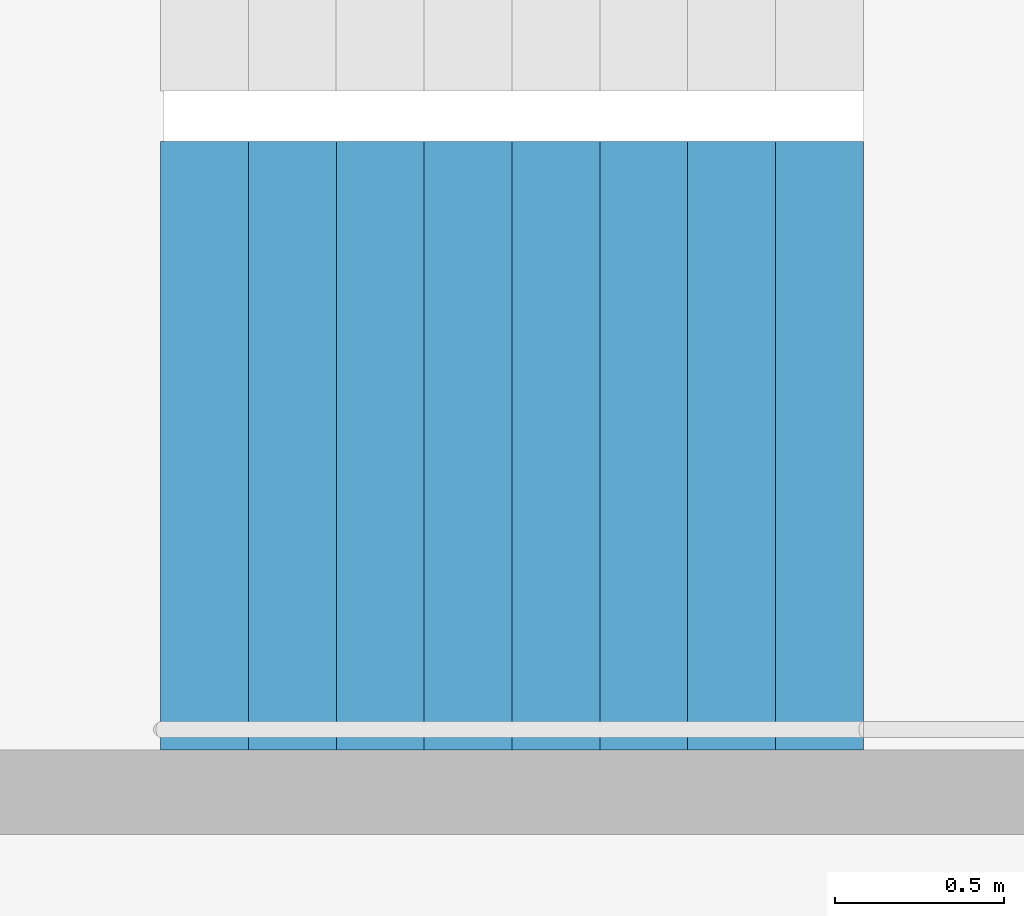
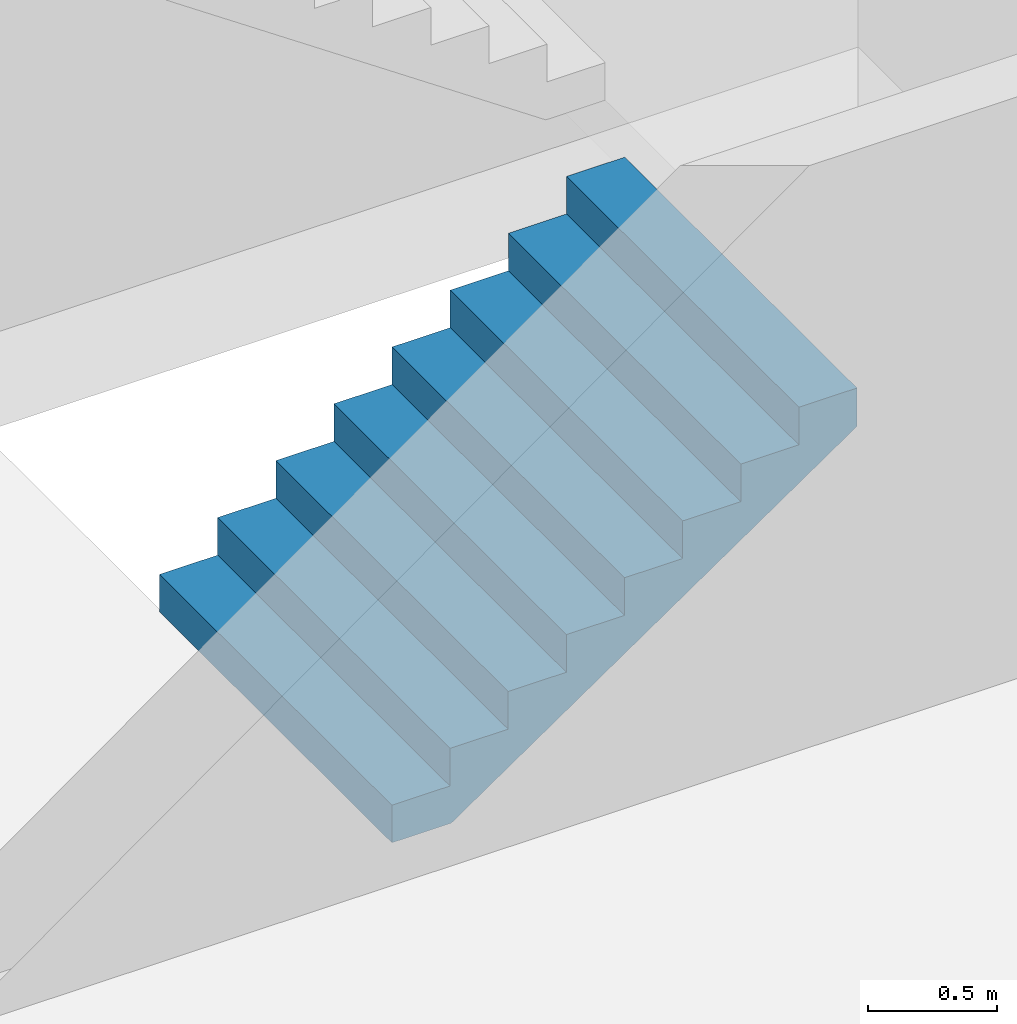
# One storey, part 21 of 27: 1 stair flight, 1 element without a shape of its own.
"""IFC4 building model written with IfcOpenShell, lengths in metres."""

from ifc_helpers import new_model, si_unit, direction, frame, origin, place, context, subcontext, project, spatial, triangles, material, type_object, element, aggregate, save


model = new_model("IFC4")

# Units and contexts
model_context = context("Model", 3, precision=1e-05, world=origin(), true_north=direction((0.0, 1.0)))
body_context = subcontext(model_context, "Body", "Model", "MODEL_VIEW")
ifc_project = project(units=[si_unit("LENGTHUNIT", "METRE"), si_unit("AREAUNIT", "SQUARE_METRE"), si_unit("VOLUMEUNIT", "CUBIC_METRE"), si_unit("PLANEANGLEUNIT", "RADIAN"), si_unit("MASSUNIT", "GRAM", prefix="KILO")], contexts=[model_context])

# Site, building, storey
site_placement = place(None, origin())
site = spatial("IfcSite", under=ifc_project, at=site_placement, CompositionType="ELEMENT")
building_placement = place(site_placement, origin())
building = spatial("IfcBuilding", under=site, at=building_placement, Name="Hakoniwa Tower and Hamabe Station Hall", CompositionType="ELEMENT")
storey_placement = place(building_placement, frame((0.0, 0.0, 261.39990234375)))
storey = spatial("IfcBuildingStorey", under=building, at=storey_placement, Name="L74", CompositionType="ELEMENT", Elevation=261.39990234375)

# Stair, stair flight
ifc_material_1 = material(Name="Concrete C40", Category="concrete")
stair_type = type_object("IfcStairType", Name="ESCAPE STAIR 1800", PredefinedType="HALF_TURN_STAIR", material=ifc_material_1)
stair_placement = place(storey_placement, origin())
stair = element("IfcStair", 1, at=stair_placement, inside=storey, type_object=stair_type, Name="Escape stair ST-1 L74", PredefinedType="HALF_TURN_STAIR")
ifc_material_2 = material(Name="Concrete C40", Category="concrete")
stair_flight_type = type_object("IfcStairFlightType", Name="STAIR FLIGHT 1800", PredefinedType="STRAIGHT", material=ifc_material_2)
stair_flight_placement = place(storey_placement, frame((-24.39990234375, 4.64990234375, 0.0), z_axis=(0.0, 0.0, 1.0), x_axis=(1.0, 0.0, 0.0)))
stair_flight = element("IfcStairFlight", 2, at=stair_flight_placement, type_object=stair_flight_type, Name="ST-1 flight 1", NumberOfRisers=9, NumberOfTreads=8, PredefinedType="STRAIGHT", RiserHeight=0.177777778, TreadLength=0.26, context=body_context, shape_type="Tessellation", body=[
    triangles([(0.0, 0.89990234375, 0.0), (0.260009765625, 0.89990234375, 0.0), (0.265625, 0.89990234375, 0.0), (0.52001953125, 0.89990234375, 0.174072265625), (0.780029296875, 0.89990234375, 0.351806640625), (1.0400390625, 0.89990234375, 0.529541015625), (1.300048828125, 0.89990234375, 0.707275390625), (1.56005859375, 0.89990234375, 0.885009765625), (1.820068359375, 0.89990234375, 1.062744140625), (2.080078125, 0.89990234375, 1.24072265625), (2.080078125, 0.89990234375, 1.422119140625), (1.820068359375, 0.89990234375, 1.422119140625), (1.820068359375, 0.89990234375, 1.244384765625), (1.56005859375, 0.89990234375, 1.244384765625), (1.56005859375, 0.89990234375, 1.066650390625), (1.300048828125, 0.89990234375, 1.066650390625), (1.300048828125, 0.89990234375, 0.888916015625), (1.0400390625, 0.89990234375, 0.888916015625), (1.0400390625, 0.89990234375, 0.711181640625), (0.780029296875, 0.89990234375, 0.711181640625), (0.780029296875, 0.89990234375, 0.533447265625), (0.52001953125, 0.89990234375, 0.533447265625), (0.52001953125, 0.89990234375, 0.35546875), (0.265625, 0.89990234375, 0.35546875), (0.260009765625, 0.89990234375, 0.35546875), (0.260009765625, 0.89990234375, 0.177734375), (0.0, 0.89990234375, 0.177734375), (0.0, 0.06005859375, 0.0), (0.260009765625, 0.06005859375, 0.0), (0.265625, 0.06005859375, 0.0), (0.52001953125, 0.06005859375, 0.174072265625), (0.780029296875, 0.06005859375, 0.351806640625), (1.0400390625, 0.06005859375, 0.529541015625), (1.300048828125, 0.06005859375, 0.707275390625), (1.56005859375, 0.06005859375, 0.885009765625), (1.820068359375, 0.06005859375, 1.062744140625), (2.080078125, 0.06005859375, 1.24072265625), (2.080078125, 0.06005859375, 1.422119140625), (1.820068359375, 0.06005859375, 1.422119140625), (1.820068359375, 0.06005859375, 1.244384765625), (1.56005859375, 0.06005859375, 1.244384765625), (1.56005859375, 0.06005859375, 1.066650390625), (1.300048828125, 0.06005859375, 1.066650390625), (1.300048828125, 0.06005859375, 0.888916015625), (1.0400390625, 0.06005859375, 0.888916015625), (1.0400390625, 0.06005859375, 0.711181640625), (0.780029296875, 0.06005859375, 0.711181640625), (0.780029296875, 0.06005859375, 0.533447265625), (0.52001953125, 0.06005859375, 0.533447265625), (0.52001953125, 0.06005859375, 0.35546875), (0.265625, 0.06005859375, 0.35546875), (0.260009765625, 0.06005859375, 0.35546875), (0.260009765625, 0.06005859375, 0.177734375), (0.0, 0.06005859375, 0.177734375), (0.0, 0.04296875, 0.0), (0.260009765625, 0.04296875, 0.0), (0.265625, 0.04296875, 0.0), (0.52001953125, 0.04296875, 0.174072265625), (0.780029296875, 0.04296875, 0.351806640625), (1.0400390625, 0.04296875, 0.529541015625), (1.300048828125, 0.04296875, 0.707275390625), (1.56005859375, 0.04296875, 0.885009765625), (1.820068359375, 0.04296875, 1.062744140625), (2.080078125, 0.04296875, 1.24072265625), (2.080078125, 0.04296875, 1.422119140625), (1.820068359375, 0.04296875, 1.422119140625), (1.820068359375, 0.04296875, 1.244384765625), (1.56005859375, 0.04296875, 1.244384765625), (1.56005859375, 0.04296875, 1.066650390625), (1.300048828125, 0.04296875, 1.066650390625), (1.300048828125, 0.04296875, 0.888916015625), (1.0400390625, 0.04296875, 0.888916015625), (1.0400390625, 0.04296875, 0.711181640625), (0.780029296875, 0.04296875, 0.711181640625), (0.780029296875, 0.04296875, 0.533447265625), (0.52001953125, 0.04296875, 0.533447265625), (0.52001953125, 0.04296875, 0.35546875), (0.265625, 0.04296875, 0.35546875), (0.260009765625, 0.04296875, 0.35546875), (0.260009765625, 0.04296875, 0.177734375), (0.0, 0.04296875, 0.177734375), (0.0, 0.025634765625, 0.0), (0.260009765625, 0.025634765625, 0.0), (0.265625, 0.025634765625, 0.0), (0.52001953125, 0.025634765625, 0.174072265625), (0.780029296875, 0.025634765625, 0.351806640625), (1.0400390625, 0.025634765625, 0.529541015625), (1.300048828125, 0.025634765625, 0.707275390625), (1.56005859375, 0.025634765625, 0.885009765625), (1.820068359375, 0.025634765625, 1.062744140625), (2.080078125, 0.025634765625, 1.24072265625), (2.080078125, 0.025634765625, 1.422119140625), (1.820068359375, 0.025634765625, 1.422119140625), (1.820068359375, 0.025634765625, 1.244384765625), (1.56005859375, 0.025634765625, 1.244384765625), (1.56005859375, 0.025634765625, 1.066650390625), (1.300048828125, 0.025634765625, 1.066650390625), (1.300048828125, 0.025634765625, 0.888916015625), (1.0400390625, 0.025634765625, 0.888916015625), (1.0400390625, 0.025634765625, 0.711181640625), (0.780029296875, 0.025634765625, 0.711181640625), (0.780029296875, 0.025634765625, 0.533447265625), (0.52001953125, 0.025634765625, 0.533447265625), (0.52001953125, 0.025634765625, 0.35546875), (0.265625, 0.025634765625, 0.35546875), (0.260009765625, 0.025634765625, 0.35546875), (0.260009765625, 0.025634765625, 0.177734375), (0.0, 0.025634765625, 0.177734375), (0.0, 0.008544921875, 0.0), (0.260009765625, 0.008544921875, 0.0), (0.265625, 0.008544921875, 0.0), (0.52001953125, 0.008544921875, 0.174072265625), (0.780029296875, 0.008544921875, 0.351806640625), (1.0400390625, 0.008544921875, 0.529541015625), (1.300048828125, 0.008544921875, 0.707275390625), (1.56005859375, 0.008544921875, 0.885009765625), (1.820068359375, 0.008544921875, 1.062744140625), (2.080078125, 0.008544921875, 1.24072265625), (2.080078125, 0.008544921875, 1.422119140625), (1.820068359375, 0.008544921875, 1.422119140625), (1.820068359375, 0.008544921875, 1.244384765625), (1.56005859375, 0.008544921875, 1.244384765625), (1.56005859375, 0.008544921875, 1.066650390625), (1.300048828125, 0.008544921875, 1.066650390625), (1.300048828125, 0.008544921875, 0.888916015625), (1.0400390625, 0.008544921875, 0.888916015625), (1.0400390625, 0.008544921875, 0.711181640625), (0.780029296875, 0.008544921875, 0.711181640625), (0.780029296875, 0.008544921875, 0.533447265625), (0.52001953125, 0.008544921875, 0.533447265625), (0.52001953125, 0.008544921875, 0.35546875), (0.265625, 0.008544921875, 0.35546875), (0.260009765625, 0.008544921875, 0.35546875), (0.260009765625, 0.008544921875, 0.177734375), (0.0, 0.008544921875, 0.177734375), (0.0, -0.008544921875, 0.0), (0.260009765625, -0.008544921875, 0.0), (0.265625, -0.008544921875, 0.0), (0.52001953125, -0.008544921875, 0.174072265625), (0.780029296875, -0.008544921875, 0.351806640625), (1.0400390625, -0.008544921875, 0.529541015625), (1.300048828125, -0.008544921875, 0.707275390625), (1.56005859375, -0.008544921875, 0.885009765625), (1.820068359375, -0.008544921875, 1.062744140625), (2.080078125, -0.008544921875, 1.24072265625), (2.080078125, -0.008544921875, 1.422119140625), (1.820068359375, -0.008544921875, 1.422119140625), (1.820068359375, -0.008544921875, 1.244384765625), (1.56005859375, -0.008544921875, 1.244384765625), (1.56005859375, -0.008544921875, 1.066650390625), (1.300048828125, -0.008544921875, 1.066650390625), (1.300048828125, -0.008544921875, 0.888916015625), (1.0400390625, -0.008544921875, 0.888916015625), (1.0400390625, -0.008544921875, 0.711181640625), (0.780029296875, -0.008544921875, 0.711181640625), (0.780029296875, -0.008544921875, 0.533447265625), (0.52001953125, -0.008544921875, 0.533447265625), (0.52001953125, -0.008544921875, 0.35546875), (0.265625, -0.008544921875, 0.35546875), (0.260009765625, -0.008544921875, 0.35546875), (0.260009765625, -0.008544921875, 0.177734375), (0.0, -0.008544921875, 0.177734375), (0.0, -0.025634765625, 0.0), (0.260009765625, -0.025634765625, 0.0), (0.265625, -0.025634765625, 0.0), (0.52001953125, -0.025634765625, 0.174072265625), (0.780029296875, -0.025634765625, 0.351806640625), (1.0400390625, -0.025634765625, 0.529541015625), (1.300048828125, -0.025634765625, 0.707275390625), (1.56005859375, -0.025634765625, 0.885009765625), (1.820068359375, -0.025634765625, 1.062744140625), (2.080078125, -0.025634765625, 1.24072265625), (2.080078125, -0.025634765625, 1.422119140625), (1.820068359375, -0.025634765625, 1.422119140625), (1.820068359375, -0.025634765625, 1.244384765625), (1.56005859375, -0.025634765625, 1.244384765625), (1.56005859375, -0.025634765625, 1.066650390625), (1.300048828125, -0.025634765625, 1.066650390625), (1.300048828125, -0.025634765625, 0.888916015625), (1.0400390625, -0.025634765625, 0.888916015625), (1.0400390625, -0.025634765625, 0.711181640625), (0.780029296875, -0.025634765625, 0.711181640625), (0.780029296875, -0.025634765625, 0.533447265625), (0.52001953125, -0.025634765625, 0.533447265625), (0.52001953125, -0.025634765625, 0.35546875), (0.265625, -0.025634765625, 0.35546875), (0.260009765625, -0.025634765625, 0.35546875), (0.260009765625, -0.025634765625, 0.177734375), (0.0, -0.025634765625, 0.177734375), (0.0, -0.04296875, 0.0), (0.260009765625, -0.04296875, 0.0), (0.265625, -0.04296875, 0.0), (0.52001953125, -0.04296875, 0.174072265625), (0.780029296875, -0.04296875, 0.351806640625), (1.0400390625, -0.04296875, 0.529541015625), (1.300048828125, -0.04296875, 0.707275390625), (1.56005859375, -0.04296875, 0.885009765625), (1.820068359375, -0.04296875, 1.062744140625), (2.080078125, -0.04296875, 1.24072265625), (2.080078125, -0.04296875, 1.422119140625), (1.820068359375, -0.04296875, 1.422119140625), (1.820068359375, -0.04296875, 1.244384765625), (1.56005859375, -0.04296875, 1.244384765625), (1.56005859375, -0.04296875, 1.066650390625), (1.300048828125, -0.04296875, 1.066650390625), (1.300048828125, -0.04296875, 0.888916015625), (1.0400390625, -0.04296875, 0.888916015625), (1.0400390625, -0.04296875, 0.711181640625), (0.780029296875, -0.04296875, 0.711181640625), (0.780029296875, -0.04296875, 0.533447265625), (0.52001953125, -0.04296875, 0.533447265625), (0.52001953125, -0.04296875, 0.35546875), (0.265625, -0.04296875, 0.35546875), (0.260009765625, -0.04296875, 0.35546875), (0.260009765625, -0.04296875, 0.177734375), (0.0, -0.04296875, 0.177734375), (0.0, -0.06005859375, 0.0), (0.260009765625, -0.06005859375, 0.0), (0.265625, -0.06005859375, 0.0), (0.52001953125, -0.06005859375, 0.174072265625), (0.780029296875, -0.06005859375, 0.351806640625), (1.0400390625, -0.06005859375, 0.529541015625), (1.300048828125, -0.06005859375, 0.707275390625), (1.56005859375, -0.06005859375, 0.885009765625), (1.820068359375, -0.06005859375, 1.062744140625), (2.080078125, -0.06005859375, 1.24072265625), (2.080078125, -0.06005859375, 1.422119140625), (1.820068359375, -0.06005859375, 1.422119140625), (1.820068359375, -0.06005859375, 1.244384765625), (1.56005859375, -0.06005859375, 1.244384765625), (1.56005859375, -0.06005859375, 1.066650390625), (1.300048828125, -0.06005859375, 1.066650390625), (1.300048828125, -0.06005859375, 0.888916015625), (1.0400390625, -0.06005859375, 0.888916015625), (1.0400390625, -0.06005859375, 0.711181640625), (0.780029296875, -0.06005859375, 0.711181640625), (0.780029296875, -0.06005859375, 0.533447265625), (0.52001953125, -0.06005859375, 0.533447265625), (0.52001953125, -0.06005859375, 0.35546875), (0.265625, -0.06005859375, 0.35546875), (0.260009765625, -0.06005859375, 0.35546875), (0.260009765625, -0.06005859375, 0.177734375), (0.0, -0.06005859375, 0.177734375), (0.0, -0.89990234375, 0.0), (0.260009765625, -0.89990234375, 0.0), (0.265625, -0.89990234375, 0.0), (0.52001953125, -0.89990234375, 0.174072265625), (0.780029296875, -0.89990234375, 0.351806640625), (1.0400390625, -0.89990234375, 0.529541015625), (1.300048828125, -0.89990234375, 0.707275390625), (1.56005859375, -0.89990234375, 0.885009765625), (1.820068359375, -0.89990234375, 1.062744140625), (2.080078125, -0.89990234375, 1.24072265625), (2.080078125, -0.89990234375, 1.422119140625), (1.820068359375, -0.89990234375, 1.422119140625), (1.820068359375, -0.89990234375, 1.244384765625), (1.56005859375, -0.89990234375, 1.244384765625), (1.56005859375, -0.89990234375, 1.066650390625), (1.300048828125, -0.89990234375, 1.066650390625), (1.300048828125, -0.89990234375, 0.888916015625), (1.0400390625, -0.89990234375, 0.888916015625), (1.0400390625, -0.89990234375, 0.711181640625), (0.780029296875, -0.89990234375, 0.711181640625), (0.780029296875, -0.89990234375, 0.533447265625), (0.52001953125, -0.89990234375, 0.533447265625), (0.52001953125, -0.89990234375, 0.35546875), (0.265625, -0.89990234375, 0.35546875), (0.260009765625, -0.89990234375, 0.35546875), (0.260009765625, -0.89990234375, 0.177734375), (0.0, -0.89990234375, 0.177734375)], [[2, 27, 26], [245, 269, 270], [2, 1, 27], [245, 270, 244], [3, 25, 24], [246, 267, 268], [3, 26, 25], [246, 268, 269], [3, 2, 26], [246, 269, 245], [4, 24, 23], [247, 266, 267], [4, 3, 24], [247, 267, 246], [5, 22, 21], [248, 264, 265], [5, 23, 22], [248, 265, 266], [5, 4, 23], [248, 266, 247], [6, 20, 19], [249, 262, 263], [6, 21, 20], [249, 263, 264], [6, 5, 21], [249, 264, 248], [7, 18, 17], [250, 260, 261], [7, 19, 18], [250, 261, 262], [7, 6, 19], [250, 262, 249], [8, 16, 15], [251, 258, 259], [8, 17, 16], [251, 259, 260], [8, 7, 17], [251, 260, 250], [9, 14, 13], [252, 256, 257], [9, 15, 14], [252, 257, 258], [9, 8, 15], [252, 258, 251], [10, 12, 11], [253, 254, 255], [10, 13, 12], [253, 255, 256], [10, 9, 13], [253, 256, 252], [1, 2, 29], [1, 29, 28], [28, 29, 56], [28, 56, 55], [55, 56, 83], [55, 83, 82], [82, 83, 110], [82, 110, 109], [109, 110, 137], [109, 137, 136], [136, 137, 164], [136, 164, 163], [163, 164, 191], [163, 191, 190], [190, 191, 218], [190, 218, 217], [217, 218, 245], [217, 245, 244], [2, 3, 30], [2, 30, 29], [29, 30, 57], [29, 57, 56], [56, 57, 84], [56, 84, 83], [83, 84, 111], [83, 111, 110], [110, 111, 138], [110, 138, 137], [137, 138, 165], [137, 165, 164], [164, 165, 192], [164, 192, 191], [191, 192, 219], [191, 219, 218], [218, 219, 246], [218, 246, 245], [3, 4, 31], [3, 31, 30], [30, 31, 58], [30, 58, 57], [57, 58, 85], [57, 85, 84], [84, 85, 112], [84, 112, 111], [111, 112, 139], [111, 139, 138], [138, 139, 166], [138, 166, 165], [165, 166, 193], [165, 193, 192], [192, 193, 220], [192, 220, 219], [219, 220, 247], [219, 247, 246], [4, 5, 32], [4, 32, 31], [31, 32, 59], [31, 59, 58], [58, 59, 86], [58, 86, 85], [85, 86, 113], [85, 113, 112], [112, 113, 140], [112, 140, 139], [139, 140, 167], [139, 167, 166], [166, 167, 194], [166, 194, 193], [193, 194, 221], [193, 221, 220], [220, 221, 248], [220, 248, 247], [5, 6, 33], [5, 33, 32], [32, 33, 60], [32, 60, 59], [59, 60, 87], [59, 87, 86], [86, 87, 114], [86, 114, 113], [113, 114, 141], [113, 141, 140], [140, 141, 168], [140, 168, 167], [167, 168, 195], [167, 195, 194], [194, 195, 222], [194, 222, 221], [221, 222, 249], [221, 249, 248], [6, 7, 34], [6, 34, 33], [33, 34, 61], [33, 61, 60], [60, 61, 88], [60, 88, 87], [87, 88, 115], [87, 115, 114], [114, 115, 142], [114, 142, 141], [141, 142, 169], [141, 169, 168], [168, 169, 196], [168, 196, 195], [195, 196, 223], [195, 223, 222], [222, 223, 250], [222, 250, 249], [7, 8, 35], [7, 35, 34], [34, 35, 62], [34, 62, 61], [61, 62, 89], [61, 89, 88], [88, 89, 116], [88, 116, 115], [115, 116, 143], [115, 143, 142], [142, 143, 170], [142, 170, 169], [169, 170, 197], [169, 197, 196], [196, 197, 224], [196, 224, 223], [223, 224, 251], [223, 251, 250], [8, 9, 36], [8, 36, 35], [35, 36, 63], [35, 63, 62], [62, 63, 90], [62, 90, 89], [89, 90, 117], [89, 117, 116], [116, 117, 144], [116, 144, 143], [143, 144, 171], [143, 171, 170], [170, 171, 198], [170, 198, 197], [197, 198, 225], [197, 225, 224], [224, 225, 252], [224, 252, 251], [9, 10, 37], [9, 37, 36], [36, 37, 64], [36, 64, 63], [63, 64, 91], [63, 91, 90], [90, 91, 118], [90, 118, 117], [117, 118, 145], [117, 145, 144], [144, 145, 172], [144, 172, 171], [171, 172, 199], [171, 199, 198], [198, 199, 226], [198, 226, 225], [225, 226, 253], [225, 253, 252], [10, 11, 38], [10, 38, 37], [37, 38, 65], [37, 65, 64], [64, 65, 92], [64, 92, 91], [91, 92, 119], [91, 119, 118], [118, 119, 146], [118, 146, 145], [145, 146, 173], [145, 173, 172], [172, 173, 200], [172, 200, 199], [199, 200, 227], [199, 227, 226], [226, 227, 254], [226, 254, 253], [11, 12, 39], [11, 39, 38], [38, 39, 66], [38, 66, 65], [65, 66, 93], [65, 93, 92], [92, 93, 120], [92, 120, 119], [119, 120, 147], [119, 147, 146], [146, 147, 174], [146, 174, 173], [173, 174, 201], [173, 201, 200], [200, 201, 228], [200, 228, 227], [227, 228, 255], [227, 255, 254], [12, 13, 40], [12, 40, 39], [39, 40, 67], [39, 67, 66], [66, 67, 94], [66, 94, 93], [93, 94, 121], [93, 121, 120], [120, 121, 148], [120, 148, 147], [147, 148, 175], [147, 175, 174], [174, 175, 202], [174, 202, 201], [201, 202, 229], [201, 229, 228], [228, 229, 256], [228, 256, 255], [13, 14, 41], [13, 41, 40], [40, 41, 68], [40, 68, 67], [67, 68, 95], [67, 95, 94], [94, 95, 122], [94, 122, 121], [121, 122, 149], [121, 149, 148], [148, 149, 176], [148, 176, 175], [175, 176, 203], [175, 203, 202], [202, 203, 230], [202, 230, 229], [229, 230, 257], [229, 257, 256], [14, 15, 42], [14, 42, 41], [41, 42, 69], [41, 69, 68], [68, 69, 96], [68, 96, 95], [95, 96, 123], [95, 123, 122], [122, 123, 150], [122, 150, 149], [149, 150, 177], [149, 177, 176], [176, 177, 204], [176, 204, 203], [203, 204, 231], [203, 231, 230], [230, 231, 258], [230, 258, 257], [15, 16, 43], [15, 43, 42], [42, 43, 70], [42, 70, 69], [69, 70, 97], [69, 97, 96], [96, 97, 124], [96, 124, 123], [123, 124, 151], [123, 151, 150], [150, 151, 178], [150, 178, 177], [177, 178, 205], [177, 205, 204], [204, 205, 232], [204, 232, 231], [231, 232, 259], [231, 259, 258], [16, 17, 44], [16, 44, 43], [43, 44, 71], [43, 71, 70], [70, 71, 98], [70, 98, 97], [97, 98, 125], [97, 125, 124], [124, 125, 152], [124, 152, 151], [151, 152, 179], [151, 179, 178], [178, 179, 206], [178, 206, 205], [205, 206, 233], [205, 233, 232], [232, 233, 260], [232, 260, 259], [17, 18, 45], [17, 45, 44], [44, 45, 72], [44, 72, 71], [71, 72, 99], [71, 99, 98], [98, 99, 126], [98, 126, 125], [125, 126, 153], [125, 153, 152], [152, 153, 180], [152, 180, 179], [179, 180, 207], [179, 207, 206], [206, 207, 234], [206, 234, 233], [233, 234, 261], [233, 261, 260], [18, 19, 46], [18, 46, 45], [45, 46, 73], [45, 73, 72], [72, 73, 100], [72, 100, 99], [99, 100, 127], [99, 127, 126], [126, 127, 154], [126, 154, 153], [153, 154, 181], [153, 181, 180], [180, 181, 208], [180, 208, 207], [207, 208, 235], [207, 235, 234], [234, 235, 262], [234, 262, 261], [19, 20, 47], [19, 47, 46], [46, 47, 74], [46, 74, 73], [73, 74, 101], [73, 101, 100], [100, 101, 128], [100, 128, 127], [127, 128, 155], [127, 155, 154], [154, 155, 182], [154, 182, 181], [181, 182, 209], [181, 209, 208], [208, 209, 236], [208, 236, 235], [235, 236, 263], [235, 263, 262], [20, 21, 48], [20, 48, 47], [47, 48, 75], [47, 75, 74], [74, 75, 102], [74, 102, 101], [101, 102, 129], [101, 129, 128], [128, 129, 156], [128, 156, 155], [155, 156, 183], [155, 183, 182], [182, 183, 210], [182, 210, 209], [209, 210, 237], [209, 237, 236], [236, 237, 264], [236, 264, 263], [21, 22, 49], [21, 49, 48], [48, 49, 76], [48, 76, 75], [75, 76, 103], [75, 103, 102], [102, 103, 130], [102, 130, 129], [129, 130, 157], [129, 157, 156], [156, 157, 184], [156, 184, 183], [183, 184, 211], [183, 211, 210], [210, 211, 238], [210, 238, 237], [237, 238, 265], [237, 265, 264], [22, 23, 50], [22, 50, 49], [49, 50, 77], [49, 77, 76], [76, 77, 104], [76, 104, 103], [103, 104, 131], [103, 131, 130], [130, 131, 158], [130, 158, 157], [157, 158, 185], [157, 185, 184], [184, 185, 212], [184, 212, 211], [211, 212, 239], [211, 239, 238], [238, 239, 266], [238, 266, 265], [23, 24, 51], [23, 51, 50], [50, 51, 78], [50, 78, 77], [77, 78, 105], [77, 105, 104], [104, 105, 132], [104, 132, 131], [131, 132, 159], [131, 159, 158], [158, 159, 186], [158, 186, 185], [185, 186, 213], [185, 213, 212], [212, 213, 240], [212, 240, 239], [239, 240, 267], [239, 267, 266], [24, 25, 52], [24, 52, 51], [51, 52, 79], [51, 79, 78], [78, 79, 106], [78, 106, 105], [105, 106, 133], [105, 133, 132], [132, 133, 160], [132, 160, 159], [159, 160, 187], [159, 187, 186], [186, 187, 214], [186, 214, 213], [213, 214, 241], [213, 241, 240], [240, 241, 268], [240, 268, 267], [25, 26, 53], [25, 53, 52], [52, 53, 80], [52, 80, 79], [79, 80, 107], [79, 107, 106], [106, 107, 134], [106, 134, 133], [133, 134, 161], [133, 161, 160], [160, 161, 188], [160, 188, 187], [187, 188, 215], [187, 215, 214], [214, 215, 242], [214, 242, 241], [241, 242, 269], [241, 269, 268], [26, 27, 54], [26, 54, 53], [53, 54, 81], [53, 81, 80], [80, 81, 108], [80, 108, 107], [107, 108, 135], [107, 135, 134], [134, 135, 162], [134, 162, 161], [161, 162, 189], [161, 189, 188], [188, 189, 216], [188, 216, 215], [215, 216, 243], [215, 243, 242], [242, 243, 270], [242, 270, 269], [27, 1, 28], [27, 28, 54], [54, 28, 55], [54, 55, 81], [81, 55, 82], [81, 82, 108], [108, 82, 109], [108, 109, 135], [135, 109, 136], [135, 136, 162], [162, 136, 163], [162, 163, 189], [189, 163, 190], [189, 190, 216], [216, 190, 217], [216, 217, 243], [243, 217, 244], [243, 244, 270]], closed=True),
])
aggregate(stair, [stair_flight])

save(model, "model.ifc")
